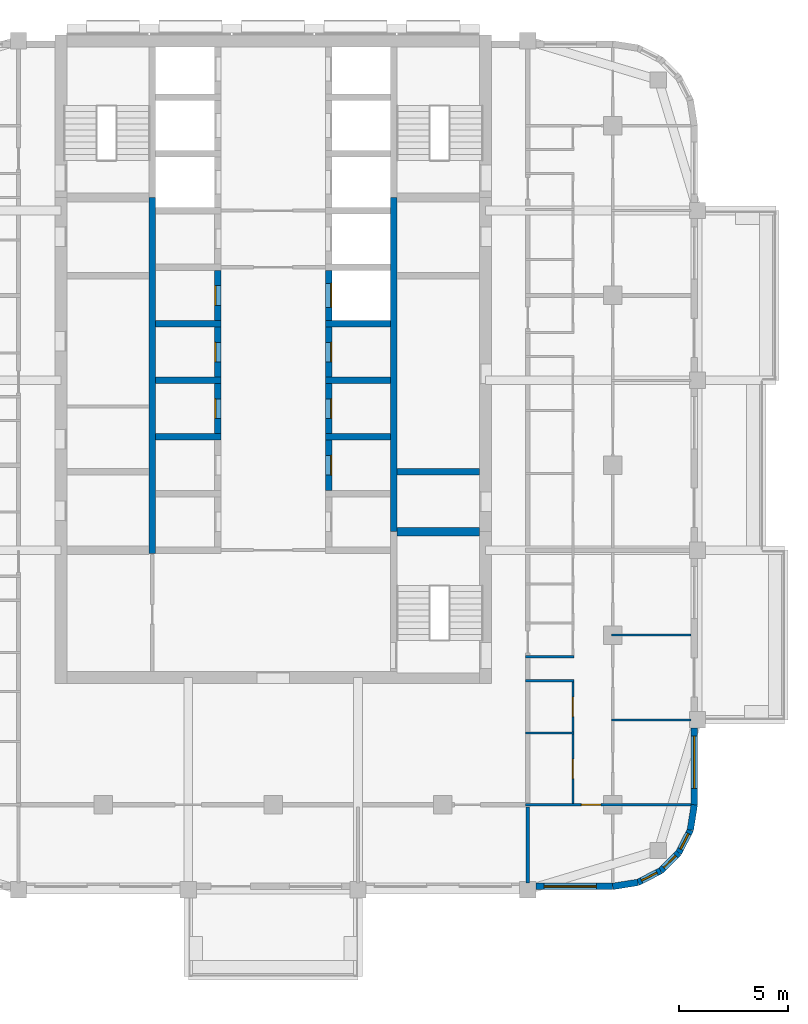
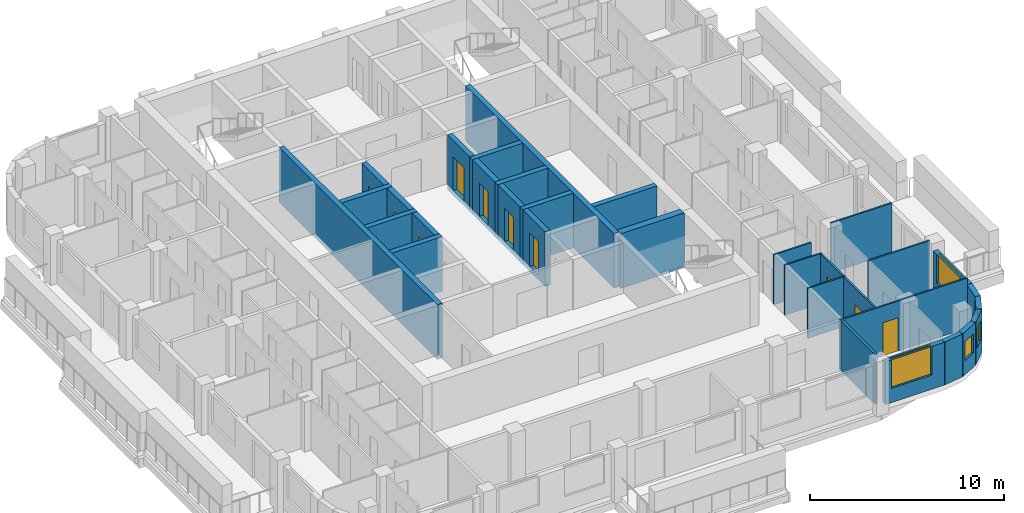
# One storey, part 5 of 13: 32 walls, 10 doors, 5 windows, 15 openings.
"""IFC4 building model written with IfcOpenShell, lengths in metres."""

from ifc_helpers import new_model, si_unit, direction, frame, frame_2d, origin, place, context, subcontext, project, spatial, rectangle, extrude, material, layer, layer_set, type_object, element, fill, save


model = new_model("IFC4")

# Units and contexts
model_context = context("Model", 3, precision=1e-05, world=origin(), true_north=direction((0.0, 1.0)))
body_context = subcontext(model_context, "Body", "Model", "MODEL_VIEW")
ifc_project = project(units=[si_unit("LENGTHUNIT", "METRE"), si_unit("AREAUNIT", "SQUARE_METRE"), si_unit("VOLUMEUNIT", "CUBIC_METRE"), si_unit("PLANEANGLEUNIT", "RADIAN"), si_unit("MASSUNIT", "GRAM", prefix="KILO")], contexts=[model_context])

# Site, building, storey
site_placement = place(None, origin())
site = spatial("IfcSite", under=ifc_project, at=site_placement, CompositionType="ELEMENT")
building_placement = place(site_placement, origin())
building = spatial("IfcBuilding", under=site, at=building_placement, Name="Ludao Terraces", CompositionType="ELEMENT")
storey_placement = place(building_placement, frame((0.0, 0.0, 179.199951171875)))
storey = spatial("IfcBuildingStorey", under=building, at=storey_placement, Name="L48", CompositionType="ELEMENT", Elevation=179.199951171875)

# Wall, opening, window
ifc_material_1 = material(Name="Granite cladding", Category="masonry")
ifc_layer_1 = layer(ifc_material_1, 0.0400390625, Category="stone")
ifc_material_2 = material(Name="Mineral wool")
ifc_layer_2 = layer(ifc_material_2, 0.06005859375)
ifc_material_3 = material(Name="Concrete C40", Category="concrete")
ifc_layer_3 = layer(ifc_material_3, 0.199951171875, Category="concrete")
ifc_layer_set_1 = layer_set([ifc_layer_1, ifc_layer_2, ifc_layer_3], Name="ENV Stone-clad wall 300")
wall_type_1 = type_object("IfcWallType", Name="ENV Stone-clad wall 300", PredefinedType="SOLIDWALL", material=ifc_layer_set_1)
wall_1_placement = place(storey_placement, frame((97.074951171875, 45.64990234375, 0.0), z_axis=(0.0, 0.0, 1.0), x_axis=(1.0, 0.0, 0.0)))
wall_1 = element("IfcWall", 1, at=wall_1_placement, inside=storey, type_object=wall_type_1, Name="EW-L48-S5", PredefinedType="SOLIDWALL", context=body_context, shape_type="SweptSolid", body=[
    extrude(rectangle(XDim=3.525146484375, YDim=0.300048828125, at=frame_2d((1.7626953125, 0.0))), origin(), (0.0, 0.0, 1.0), 2.699951171875),
])
opening_1_placement = place(wall_1_placement, frame((0.375, 0.0, 0.89990234375)))
opening_1 = element("IfcOpeningElement", 2, at=opening_1_placement, cuts=wall_1, Name="Opening W1", PredefinedType="OPENING", context=body_context, shape_type="SweptSolid", body=[
    extrude(rectangle(XDim=2.39990234375, YDim=1.800048828125, at=frame_2d((1.199951171875, 0.89990234375))), frame((0.0, 0.16015625, 0.0), z_axis=(0.0, -1.0, 0.0), x_axis=(1.0, 0.0, 0.0)), (0.0, 0.0, 1.0), 0.320068359375),
])
ifc_material_4 = material(Name="Clear glass in aluminium frame", Category="aluminium")
ifc_layer_4 = layer(ifc_material_4, 0.06005859375)
ifc_layer_set_2 = layer_set([ifc_layer_4], Name="ENV Window W1 2400x1800")
window_type_1 = type_object("IfcWindowType", Name="ENV Window W1 2400x1800", PartitioningType="DOUBLE_PANEL_VERTICAL", PredefinedType="WINDOW", material=ifc_layer_set_2)
window_1_placement = place(opening_1_placement, origin())
window_1 = element("IfcWindow", 3, at=window_1_placement, inside=storey, type_object=window_type_1, Name="W-L48-S5-1", OverallHeight=1.800048828125, OverallWidth=2.39990234375, PartitioningType="DOUBLE_PANEL_VERTICAL", PredefinedType="WINDOW", context=body_context, shape_type="SweptSolid", body=[
    extrude(rectangle(XDim=2.39990234375, YDim=1.800048828125, at=frame_2d((1.199951171875, 0.89990234375))), frame((0.0, 0.030029296875, 0.0), z_axis=(0.0, -1.0, 0.0), x_axis=(1.0, 0.0, 0.0)), (0.0, 0.0, 1.0), 0.06005859375),
])
fill(opening_1, window_1)

wall_2_placement = place(storey_placement, frame((104.35009765625, 49.39990234375, 0.0), z_axis=(0.0, 0.0, 1.0), x_axis=(0.0, 1.0, 0.0)))
wall_2 = element("IfcWall", 4, at=wall_2_placement, inside=storey, type_object=wall_type_1, Name="EW-L48-E1", PredefinedType="SOLIDWALL", context=body_context, shape_type="SweptSolid", body=[
    extrude(rectangle(XDim=3.525146484375, YDim=0.300048828125, at=frame_2d((1.7626953125, 0.0))), origin(), (0.0, 0.0, 1.0), 2.699951171875),
])
opening_2_placement = place(wall_2_placement, frame((0.75, 0.0, 0.89990234375)))
opening_2 = element("IfcOpeningElement", 5, at=opening_2_placement, cuts=wall_2, Name="Opening W1", PredefinedType="OPENING", context=body_context, shape_type="SweptSolid", body=[
    extrude(rectangle(XDim=2.39990234375, YDim=1.800048828125, at=frame_2d((1.199951171875, 0.89990234375))), frame((0.0, 0.16015625, 0.0), z_axis=(0.0, -1.0, 0.0), x_axis=(1.0, 0.0, 0.0)), (0.0, 0.0, 1.0), 0.320068359375),
])
window_2_placement = place(opening_2_placement, origin())
window_2 = element("IfcWindow", 6, at=window_2_placement, inside=storey, type_object=window_type_1, Name="W-L48-E1-1", OverallHeight=1.800048828125, OverallWidth=2.39990234375, PartitioningType="DOUBLE_PANEL_VERTICAL", PredefinedType="WINDOW", context=body_context, shape_type="SweptSolid", body=[
    extrude(rectangle(XDim=2.39990234375, YDim=1.800048828125, at=frame_2d((1.199951171875, 0.89990234375))), frame((0.0, 0.030029296875, 0.0), z_axis=(0.0, -1.0, 0.0), x_axis=(1.0, 0.0, 0.0)), (0.0, 0.0, 1.0), 0.06005859375),
])
fill(opening_2, window_2)

# Wall
wall_3_placement = place(storey_placement, frame((100.60009765625, 45.64990234375, 0.0), z_axis=(0.0, 0.0, 1.0), x_axis=(0.987678452879, 0.156496880861, 0.0)))
element("IfcWall", 7, at=wall_3_placement, inside=storey, type_object=wall_type_1, Name="EW-L48-SE1", PredefinedType="SOLIDWALL", context=body_context, shape_type="SweptSolid", body=[
    extrude(rectangle(XDim=1.173095703125, YDim=0.300048828125, at=frame_2d((0.58642578125, 0.0))), origin(), (0.0, 0.0, 1.0), 2.699951171875),
])

# Wall, opening, window
wall_4_placement = place(storey_placement, frame((101.7587890625, 45.83349609375, 0.0), z_axis=(0.0, 0.0, 1.0), x_axis=(0.890988677504, 0.454025524128, 0.0)))
wall_4 = element("IfcWall", 8, at=wall_4_placement, inside=storey, type_object=wall_type_1, Name="EW-L48-SE2", PredefinedType="SOLIDWALL", context=body_context, shape_type="SweptSolid", body=[
    extrude(rectangle(XDim=1.17333984375, YDim=0.300048828125, at=frame_2d((0.586669921875, 0.0))), origin(), (0.0, 0.0, 1.0), 2.699951171875),
])
opening_3_placement = place(wall_4_placement, frame((0.1865234375, 0.0, 0.89990234375)))
opening_3 = element("IfcOpeningElement", 9, at=opening_3_placement, cuts=wall_4, Name="Opening W3", PredefinedType="OPENING", context=body_context, shape_type="SweptSolid", body=[
    extrude(rectangle(XDim=0.800048828125, YDim=1.199951171875, at=frame_2d((0.39990234375, 0.60009765625))), frame((0.0, 0.16015625, 0.0), z_axis=(0.0, -1.0, 0.0), x_axis=(1.0, 0.0, 0.0)), (0.0, 0.0, 1.0), 0.320068359375),
])
ifc_layer_5 = layer(ifc_material_4, 0.06005859375)
ifc_layer_set_3 = layer_set([ifc_layer_5], Name="ENV Window W3 800x1200")
window_type_2 = type_object("IfcWindowType", Name="ENV Window W3 800x1200", PartitioningType="SINGLE_PANEL", PredefinedType="WINDOW", material=ifc_layer_set_3)
window_3_placement = place(opening_3_placement, origin())
window_3 = element("IfcWindow", 10, at=window_3_placement, inside=storey, type_object=window_type_2, Name="W-L48-SE2", OverallHeight=1.199951171875, OverallWidth=0.800048828125, PartitioningType="SINGLE_PANEL", PredefinedType="WINDOW", context=body_context, shape_type="SweptSolid", body=[
    extrude(rectangle(XDim=0.800048828125, YDim=1.199951171875, at=frame_2d((0.39990234375, 0.60009765625))), frame((0.0, 0.030029296875, 0.0), z_axis=(0.0, -1.0, 0.0), x_axis=(1.0, 0.0, 0.0)), (0.0, 0.0, 1.0), 0.06005859375),
])
fill(opening_3, window_3)

wall_5_placement = place(storey_placement, frame((102.80419921875, 46.3662109375, 0.0), z_axis=(0.0, 0.0, 1.0), x_axis=(0.707106781187, 0.707106781187, 0.0)))
wall_5 = element("IfcWall", 11, at=wall_5_placement, inside=storey, type_object=wall_type_1, Name="EW-L48-SE3", PredefinedType="SOLIDWALL", context=body_context, shape_type="SweptSolid", body=[
    extrude(rectangle(XDim=1.173095703125, YDim=0.300048828125, at=frame_2d((0.58642578125, 0.0))), origin(), (0.0, 0.0, 1.0), 2.699951171875),
])
opening_4_placement = place(wall_5_placement, frame((0.1865234375, 0.0, 0.89990234375)))
opening_4 = element("IfcOpeningElement", 12, at=opening_4_placement, cuts=wall_5, Name="Opening W3", PredefinedType="OPENING", context=body_context, shape_type="SweptSolid", body=[
    extrude(rectangle(XDim=0.800048828125, YDim=1.199951171875, at=frame_2d((0.39990234375, 0.60009765625))), frame((0.0, 0.16015625, 0.0), z_axis=(0.0, -1.0, 0.0), x_axis=(1.0, 0.0, 0.0)), (0.0, 0.0, 1.0), 0.320068359375),
])
window_4_placement = place(opening_4_placement, origin())
window_4 = element("IfcWindow", 13, at=window_4_placement, inside=storey, type_object=window_type_2, Name="W-L48-SE3", OverallHeight=1.199951171875, OverallWidth=0.800048828125, PartitioningType="SINGLE_PANEL", PredefinedType="WINDOW", context=body_context, shape_type="SweptSolid", body=[
    extrude(rectangle(XDim=0.800048828125, YDim=1.199951171875, at=frame_2d((0.39990234375, 0.60009765625))), frame((0.0, 0.030029296875, 0.0), z_axis=(0.0, -1.0, 0.0), x_axis=(1.0, 0.0, 0.0)), (0.0, 0.0, 1.0), 0.06005859375),
])
fill(opening_4, window_4)

wall_6_placement = place(storey_placement, frame((103.6337890625, 47.19580078125, 0.0), z_axis=(0.0, 0.0, 1.0), x_axis=(0.454025524128, 0.890988677504, 0.0)))
wall_6 = element("IfcWall", 14, at=wall_6_placement, inside=storey, type_object=wall_type_1, Name="EW-L48-SE4", PredefinedType="SOLIDWALL", context=body_context, shape_type="SweptSolid", body=[
    extrude(rectangle(XDim=1.17333984375, YDim=0.300048828125, at=frame_2d((0.586669921875, 0.0))), origin(), (0.0, 0.0, 1.0), 2.699951171875),
])
opening_5_placement = place(wall_6_placement, frame((0.1865234375, 0.0, 0.89990234375)))
opening_5 = element("IfcOpeningElement", 15, at=opening_5_placement, cuts=wall_6, Name="Opening W3", PredefinedType="OPENING", context=body_context, shape_type="SweptSolid", body=[
    extrude(rectangle(XDim=0.800048828125, YDim=1.199951171875, at=frame_2d((0.39990234375, 0.60009765625))), frame((0.0, 0.16015625, 0.0), z_axis=(0.0, -1.0, 0.0), x_axis=(1.0, 0.0, 0.0)), (0.0, 0.0, 1.0), 0.320068359375),
])
window_5_placement = place(opening_5_placement, origin())
window_5 = element("IfcWindow", 16, at=window_5_placement, inside=storey, type_object=window_type_2, Name="W-L48-SE4", OverallHeight=1.199951171875, OverallWidth=0.800048828125, PartitioningType="SINGLE_PANEL", PredefinedType="WINDOW", context=body_context, shape_type="SweptSolid", body=[
    extrude(rectangle(XDim=0.800048828125, YDim=1.199951171875, at=frame_2d((0.39990234375, 0.60009765625))), frame((0.0, 0.030029296875, 0.0), z_axis=(0.0, -1.0, 0.0), x_axis=(1.0, 0.0, 0.0)), (0.0, 0.0, 1.0), 0.06005859375),
])
fill(opening_5, window_5)

# Wall
wall_7_placement = place(storey_placement, frame((104.16650390625, 48.2412109375, 0.0), z_axis=(0.0, 0.0, 1.0), x_axis=(0.156496880861, 0.987678452879, 0.0)))
element("IfcWall", 17, at=wall_7_placement, inside=storey, type_object=wall_type_1, Name="EW-L48-SE5", PredefinedType="SOLIDWALL", context=body_context, shape_type="SweptSolid", body=[
    extrude(rectangle(XDim=1.173095703125, YDim=0.300048828125, at=frame_2d((0.58642578125, 0.0))), origin(), (0.0, 0.0, 1.0), 2.699951171875),
])

# Wall, opening, door
ifc_material_5 = material(Name="Gypsum plasterboard", Category="gypsum")
ifc_layer_6 = layer(ifc_material_5, 0.012451171875, Category="gypsum")
ifc_layer_7 = layer(ifc_material_2, 0.06005859375, Name="insulation")
ifc_material_6 = material(Name="Steel Q235", Category="steel")
ifc_layer_8 = layer(ifc_material_6, 0.014892578125, Name="stud")
ifc_layer_9 = layer(ifc_material_5, 0.012451171875, Category="gypsum")
ifc_layer_set_4 = layer_set([ifc_layer_6, ifc_layer_7, ifc_layer_8, ifc_layer_9], Name="INT Partition 100")
wall_type_2 = type_object("IfcWallType", Name="INT Partition 100", PredefinedType="PARTITIONING", material=ifc_layer_set_4)
wall_8_placement = place(storey_placement, frame((96.60009765625, 49.39990234375, 0.0), z_axis=(0.0, 0.0, 1.0), x_axis=(1.0, 0.0, 0.0)))
wall_8 = element("IfcWall", 18, at=wall_8_placement, inside=storey, type_object=wall_type_2, Name="PW-L48-PW002", PredefinedType="PARTITIONING", context=body_context, shape_type="SweptSolid", body=[
    extrude(rectangle(XDim=7.60009765625, YDim=0.10009765625, at=frame_2d((3.800048828125, 0.0))), origin(), (0.0, 0.0, 1.0), 3.150146484375),
])
opening_6_placement = place(wall_8_placement, frame((2.56005859375, 0.0, 0.0)))
opening_6 = element("IfcOpeningElement", 19, at=opening_6_placement, cuts=wall_8, Name="Opening R17-006", PredefinedType="OPENING", context=body_context, shape_type="SweptSolid", body=[
    extrude(rectangle(XDim=0.89990234375, YDim=2.10009765625, at=frame_2d((0.449951171875, 1.050048828125))), frame((0.0, 0.06005859375, 0.0), z_axis=(0.0, -1.0, 0.0), x_axis=(1.0, 0.0, 0.0)), (0.0, 0.0, 1.0), 0.1201171875),
])
ifc_material_7 = material(Name="Timber door leaf", Category="wood")
door_type_1 = type_object("IfcDoorType", Name="INT Room door 900", OperationType="SINGLE_SWING_LEFT", PredefinedType="DOOR", material=ifc_material_7)
door_1_placement = place(opening_6_placement, origin())
door_1 = element("IfcDoor", 20, at=door_1_placement, inside=storey, type_object=door_type_1, Name="DOOR 006", OperationType="SINGLE_SWING_LEFT", OverallHeight=2.10009765625, OverallWidth=0.89990234375, PredefinedType="DOOR", context=body_context, shape_type="SweptSolid", body=[
    extrude(rectangle(XDim=0.89990234375, YDim=2.10009765625, at=frame_2d((0.449951171875, 1.050048828125))), frame((0.0, 0.02490234375, 0.0), z_axis=(0.0, -1.0, 0.0), x_axis=(1.0, 0.0, 0.0)), (0.0, 0.0, 1.0), 0.050048828125),
])
fill(opening_6, door_1)

# Walls
wall_9_placement = place(storey_placement, frame((96.60009765625, 52.699951171875, 0.0), z_axis=(0.0, 0.0, 1.0), x_axis=(1.0, 0.0, 0.0)))
element("IfcWall", 21, at=wall_9_placement, inside=storey, type_object=wall_type_2, Name="PW-L48-PW004", PredefinedType="PARTITIONING", context=body_context, shape_type="SweptSolid", body=[
    extrude(rectangle(XDim=2.219970703125, YDim=0.10009765625, at=frame_2d((1.10986328125, 0.0))), origin(), (0.0, 0.0, 1.0), 3.150146484375),
])
wall_10_placement = place(storey_placement, frame((100.550048828125, 53.300048828125, 0.0), z_axis=(0.0, 0.0, 1.0), x_axis=(1.0, 0.0, 0.0)))
element("IfcWall", 22, at=wall_10_placement, inside=storey, type_object=wall_type_2, Name="PW-L48-PW005", PredefinedType="PARTITIONING", context=body_context, shape_type="SweptSolid", body=[
    extrude(rectangle(XDim=3.650146484375, YDim=0.10009765625, at=frame_2d((1.8251953125, 0.0))), origin(), (0.0, 0.0, 1.0), 3.150146484375),
])
for number, where, z_axis, x_axis, name in (
    (23, (96.60009765625, 55.10009765625, 0.0), (0.0, 0.0, 1.0), (1.0, 0.0, 0.0), "PW-L48-PW007"),
    (24, (96.60009765625, 56.199951171875, 0.0), (0.0, 0.0, 1.0), (1.0, 0.0, 0.0), "PW-L48-PW008"),
):
    element("IfcWall", number, at=place(storey_placement, frame(where, z_axis=z_axis, x_axis=x_axis)), inside=storey, type_object=wall_type_2, Name=name, PredefinedType="PARTITIONING", context=body_context, shape_type="SweptSolid", body=[
        extrude(rectangle(XDim=2.219970703125, YDim=0.10009765625, at=frame_2d((1.10986328125, 0.0))), origin(), (0.0, 0.0, 1.0), 3.150146484375),
    ])
wall_11_placement = place(storey_placement, frame((100.550048828125, 57.199951171875, 0.0), z_axis=(0.0, 0.0, 1.0), x_axis=(1.0, 0.0, 0.0)))
element("IfcWall", 25, at=wall_11_placement, inside=storey, type_object=wall_type_2, Name="PW-L48-PW011", PredefinedType="PARTITIONING", context=body_context, shape_type="SweptSolid", body=[
    extrude(rectangle(XDim=3.650146484375, YDim=0.10009765625, at=frame_2d((1.8251953125, 0.0))), origin(), (0.0, 0.0, 1.0), 3.150146484375),
])

# Wall, openings, doors
wall_12_placement = place(storey_placement, frame((98.77001953125, 49.4501953125, 0.0), z_axis=(0.0, 0.0, 1.0), x_axis=(0.0, 1.0, 0.0)))
wall_12 = element("IfcWall", 26, at=wall_12_placement, inside=storey, type_object=wall_type_2, Name="PW-L48-PW057", PredefinedType="PARTITIONING", context=body_context, shape_type="SweptSolid", body=[
    extrude(rectangle(XDim=5.599853515625, YDim=0.10009765625, at=frame_2d((2.7998046875, 0.0))), origin(), (0.0, 0.0, 1.0), 3.150146484375),
])
opening_7_placement = place(wall_12_placement, frame((1.14990234375, 0.0, 0.0)))
opening_7 = element("IfcOpeningElement", 27, at=opening_7_placement, cuts=wall_12, Name="Opening R17-008", PredefinedType="OPENING", context=body_context, shape_type="SweptSolid", body=[
    extrude(rectangle(XDim=0.89990234375, YDim=2.10009765625, at=frame_2d((0.449951171875, 1.050048828125))), frame((0.0, 0.06005859375, 0.0), z_axis=(0.0, -1.0, 0.0), x_axis=(1.0, 0.0, 0.0)), (0.0, 0.0, 1.0), 0.1201171875),
])
opening_8_placement = place(wall_12_placement, frame((4.0, 0.0, 0.0)))
opening_8 = element("IfcOpeningElement", 28, at=opening_8_placement, cuts=wall_12, Name="Opening R17-012", PredefinedType="OPENING", context=body_context, shape_type="SweptSolid", body=[
    extrude(rectangle(XDim=0.89990234375, YDim=2.10009765625, at=frame_2d((0.449951171875, 1.050048828125))), frame((0.0, 0.06005859375, 0.0), z_axis=(0.0, -1.0, 0.0), x_axis=(1.0, 0.0, 0.0)), (0.0, 0.0, 1.0), 0.1201171875),
])
door_type_2 = type_object("IfcDoorType", Name="INT Bathroom door 900", OperationType="SINGLE_SWING_LEFT", PredefinedType="DOOR", material=ifc_material_7)
door_2_placement = place(opening_8_placement, origin())
door_2 = element("IfcDoor", 29, at=door_2_placement, inside=storey, type_object=door_type_2, Name="DOOR 012", OperationType="SINGLE_SWING_RIGHT", OverallHeight=2.10009765625, OverallWidth=0.89990234375, PredefinedType="DOOR", context=body_context, shape_type="SweptSolid", body=[
    extrude(rectangle(XDim=0.89990234375, YDim=2.10009765625, at=frame_2d((0.449951171875, 1.050048828125))), frame((0.0, 0.02490234375, 0.0), z_axis=(0.0, -1.0, 0.0), x_axis=(1.0, 0.0, 0.0)), (0.0, 0.0, 1.0), 0.050048828125),
])
fill(opening_8, door_2)
door_3_placement = place(opening_7_placement, origin())
door_3 = element("IfcDoor", 30, at=door_3_placement, inside=storey, type_object=door_type_1, Name="DOOR 008", OperationType="SINGLE_SWING_LEFT", OverallHeight=2.10009765625, OverallWidth=0.89990234375, PredefinedType="DOOR", context=body_context, shape_type="SweptSolid", body=[
    extrude(rectangle(XDim=0.89990234375, YDim=2.10009765625, at=frame_2d((0.449951171875, 1.050048828125))), frame((0.0, 0.02490234375, 0.0), z_axis=(0.0, -1.0, 0.0), x_axis=(1.0, 0.0, 0.0)), (0.0, 0.0, 1.0), 0.050048828125),
])
fill(opening_7, door_3)

# Walls
ifc_material_8 = material(Name="Autoclaved aerated concrete block B06 A3.5", Category="concrete")
ifc_layer_10 = layer(ifc_material_8, 0.14990234375)
ifc_layer_set_5 = layer_set([ifc_layer_10], Name="INT Party wall 150")
wall_type_3 = type_object("IfcWallType", Name="INT Party wall 150", PredefinedType="PARTITIONING", material=ifc_layer_set_5)
wall_13_placement = place(storey_placement, frame((96.699951171875, 45.800048828125, 0.0), z_axis=(0.0, 0.0, 1.0), x_axis=(0.0, 1.0, 0.0)))
element("IfcWall", 31, at=wall_13_placement, inside=storey, type_object=wall_type_3, Name="PW-L48-PW055", PredefinedType="PARTITIONING", context=body_context, shape_type="SweptSolid", body=[
    extrude(rectangle(XDim=3.5, YDim=0.14990234375, at=frame_2d((1.75, 0.0))), origin(), (0.0, 0.0, 1.0), 3.150146484375),
])
ifc_material_9 = material(Name="Concrete C55", Category="concrete")
ifc_layer_11 = layer(ifc_material_9, 0.300048828125)
ifc_layer_set_6 = layer_set([ifc_layer_11], Name="Shaft wall 300 C55")
wall_type_4 = type_object("IfcWallType", Name="Shaft wall 300 C55", PredefinedType="SOLIDWALL", material=ifc_layer_set_6)
wall_14_placement = place(storey_placement, frame((79.449951171875, 60.949951171875, -0.300048828125), z_axis=(0.0, 0.0, 1.0), x_axis=(0.0, 1.0, 0.0)))
element("IfcWall", 32, at=wall_14_placement, inside=storey, type_object=wall_type_4, Name="Core wall L48 back-W", PredefinedType="SOLIDWALL", context=body_context, shape_type="SweptSolid", body=[
    extrude(rectangle(XDim=16.35009765625, YDim=0.300048828125, at=frame_2d((8.175048828125, 0.0))), origin(), (0.0, 0.0, 1.0), 3.4501953125),
])
wall_15_placement = place(storey_placement, frame((90.550048828125, 61.949951171875, -0.300048828125), z_axis=(0.0, 0.0, 1.0), x_axis=(0.0, 1.0, 0.0)))
element("IfcWall", 33, at=wall_15_placement, inside=storey, type_object=wall_type_4, Name="Core wall L48 back-E", PredefinedType="SOLIDWALL", context=body_context, shape_type="SweptSolid", body=[
    extrude(rectangle(XDim=15.35009765625, YDim=0.300048828125, at=frame_2d((7.675048828125, 0.0))), origin(), (0.0, 0.0, 1.0), 3.4501953125),
])
wall_16_placement = place(storey_placement, frame((79.60009765625, 66.300048828125, -0.300048828125), z_axis=(0.0, 0.0, 1.0), x_axis=(1.0, 0.0, 0.0)))
element("IfcWall", 34, at=wall_16_placement, inside=storey, type_object=wall_type_4, Name="Core wall L48 div-W3", PredefinedType="SOLIDWALL", context=body_context, shape_type="SweptSolid", body=[
    extrude(rectangle(XDim=3.0, YDim=0.300048828125, at=frame_2d((1.5, 0.0))), origin(), (0.0, 0.0, 1.0), 3.4501953125),
])

# Wall, opening, door
wall_17_placement = place(storey_placement, frame((82.449951171875, 66.449951171875, -0.300048828125), z_axis=(0.0, 0.0, 1.0), x_axis=(0.0, 1.0, 0.0)))
wall_17 = element("IfcWall", 35, at=wall_17_placement, inside=storey, type_object=wall_type_4, Name="Core wall L48 front-W3", PredefinedType="SOLIDWALL", context=body_context, shape_type="SweptSolid", body=[
    extrude(rectangle(XDim=2.300048828125, YDim=0.300048828125, at=frame_2d((1.14990234375, 0.0))), origin(), (0.0, 0.0, 1.0), 3.4501953125),
])
opening_9_placement = place(wall_17_placement, frame((0.699951171875, 0.0, 0.300048828125)))
opening_9 = element("IfcOpeningElement", 36, at=opening_9_placement, cuts=wall_17, Name="Opening R17-043", PredefinedType="OPENING", context=body_context, shape_type="SweptSolid", body=[
    extrude(rectangle(XDim=0.89990234375, YDim=2.10009765625, at=frame_2d((0.449951171875, 1.050048828125))), frame((0.0, 0.16015625, 0.0), z_axis=(0.0, -1.0, 0.0), x_axis=(1.0, 0.0, 0.0)), (0.0, 0.0, 1.0), 0.320068359375),
])
door_4_placement = place(opening_9_placement, origin())
door_4 = element("IfcDoor", 37, at=door_4_placement, inside=storey, type_object=door_type_1, Name="DOOR 043", OperationType="SINGLE_SWING_RIGHT", OverallHeight=2.10009765625, OverallWidth=0.89990234375, PredefinedType="DOOR", context=body_context, shape_type="SweptSolid", body=[
    extrude(rectangle(XDim=0.89990234375, YDim=2.10009765625, at=frame_2d((0.449951171875, 1.050048828125))), frame((0.0, 0.13525390625, 0.0), z_axis=(0.0, -1.0, 0.0), x_axis=(1.0, 0.0, 0.0)), (0.0, 0.0, 1.0), 0.050048828125),
])
fill(opening_9, door_4)

# Wall
wall_18_placement = place(storey_placement, frame((79.60009765625, 68.89990234375, -0.300048828125), z_axis=(0.0, 0.0, 1.0), x_axis=(1.0, 0.0, 0.0)))
element("IfcWall", 38, at=wall_18_placement, inside=storey, type_object=wall_type_4, Name="Core wall L48 div-W4", PredefinedType="SOLIDWALL", context=body_context, shape_type="SweptSolid", body=[
    extrude(rectangle(XDim=3.0, YDim=0.300048828125, at=frame_2d((1.5, 0.0))), origin(), (0.0, 0.0, 1.0), 3.4501953125),
])

# Wall, opening, door
wall_19_placement = place(storey_placement, frame((82.449951171875, 69.050048828125, -0.300048828125), z_axis=(0.0, 0.0, 1.0), x_axis=(0.0, 1.0, 0.0)))
wall_19 = element("IfcWall", 39, at=wall_19_placement, inside=storey, type_object=wall_type_4, Name="Core wall L48 front-W4", PredefinedType="SOLIDWALL", context=body_context, shape_type="SweptSolid", body=[
    extrude(rectangle(XDim=2.300048828125, YDim=0.300048828125, at=frame_2d((1.14990234375, 0.0))), origin(), (0.0, 0.0, 1.0), 3.4501953125),
])
opening_10_placement = place(wall_19_placement, frame((0.699951171875, 0.0, 0.300048828125)))
opening_10 = element("IfcOpeningElement", 40, at=opening_10_placement, cuts=wall_19, Name="Opening R17-049", PredefinedType="OPENING", context=body_context, shape_type="SweptSolid", body=[
    extrude(rectangle(XDim=0.89990234375, YDim=2.10009765625, at=frame_2d((0.449951171875, 1.050048828125))), frame((0.0, 0.16015625, 0.0), z_axis=(0.0, -1.0, 0.0), x_axis=(1.0, 0.0, 0.0)), (0.0, 0.0, 1.0), 0.320068359375),
])
door_5_placement = place(opening_10_placement, origin())
door_5 = element("IfcDoor", 41, at=door_5_placement, inside=storey, type_object=door_type_1, Name="DOOR 049", OperationType="SINGLE_SWING_LEFT", OverallHeight=2.10009765625, OverallWidth=0.89990234375, PredefinedType="DOOR", context=body_context, shape_type="SweptSolid", body=[
    extrude(rectangle(XDim=0.89990234375, YDim=2.10009765625, at=frame_2d((0.449951171875, 1.050048828125))), frame((0.0, 0.13525390625, 0.0), z_axis=(0.0, -1.0, 0.0), x_axis=(1.0, 0.0, 0.0)), (0.0, 0.0, 1.0), 0.050048828125),
])
fill(opening_10, door_5)

# Wall
wall_20_placement = place(storey_placement, frame((79.60009765625, 71.5, -0.300048828125), z_axis=(0.0, 0.0, 1.0), x_axis=(1.0, 0.0, 0.0)))
element("IfcWall", 42, at=wall_20_placement, inside=storey, type_object=wall_type_4, Name="Core wall L48 div-W5", PredefinedType="SOLIDWALL", context=body_context, shape_type="SweptSolid", body=[
    extrude(rectangle(XDim=3.0, YDim=0.300048828125, at=frame_2d((1.5, 0.0))), origin(), (0.0, 0.0, 1.0), 3.4501953125),
])

# Wall, opening, door
wall_21_placement = place(storey_placement, frame((82.449951171875, 71.64990234375, -0.300048828125), z_axis=(0.0, 0.0, 1.0), x_axis=(0.0, 1.0, 0.0)))
wall_21 = element("IfcWall", 43, at=wall_21_placement, inside=storey, type_object=wall_type_4, Name="Core wall L48 front-W5", PredefinedType="SOLIDWALL", context=body_context, shape_type="SweptSolid", body=[
    extrude(rectangle(XDim=2.300048828125, YDim=0.300048828125, at=frame_2d((1.14990234375, 0.0))), origin(), (0.0, 0.0, 1.0), 3.4501953125),
])
opening_11_placement = place(wall_21_placement, frame((0.699951171875, 0.0, 0.300048828125)))
opening_11 = element("IfcOpeningElement", 44, at=opening_11_placement, cuts=wall_21, Name="Opening R17-057", PredefinedType="OPENING", context=body_context, shape_type="SweptSolid", body=[
    extrude(rectangle(XDim=0.89990234375, YDim=2.10009765625, at=frame_2d((0.449951171875, 1.050048828125))), frame((0.0, 0.16015625, 0.0), z_axis=(0.0, -1.0, 0.0), x_axis=(1.0, 0.0, 0.0)), (0.0, 0.0, 1.0), 0.320068359375),
])
door_6_placement = place(opening_11_placement, origin())
door_6 = element("IfcDoor", 45, at=door_6_placement, inside=storey, type_object=door_type_1, Name="DOOR 057", OperationType="SINGLE_SWING_LEFT", OverallHeight=2.10009765625, OverallWidth=0.89990234375, PredefinedType="DOOR", context=body_context, shape_type="SweptSolid", body=[
    extrude(rectangle(XDim=0.89990234375, YDim=2.10009765625, at=frame_2d((0.449951171875, 1.050048828125))), frame((0.0, 0.13525390625, 0.0), z_axis=(0.0, -1.0, 0.0), x_axis=(1.0, 0.0, 0.0)), (0.0, 0.0, 1.0), 0.050048828125),
])
fill(opening_11, door_6)

wall_22_placement = place(storey_placement, frame((87.550048828125, 63.85009765625, -0.300048828125), z_axis=(0.0, 0.0, 1.0), x_axis=(0.0, 1.0, 0.0)))
wall_22 = element("IfcWall", 46, at=wall_22_placement, inside=storey, type_object=wall_type_4, Name="Core wall L48 front-E2", PredefinedType="SOLIDWALL", context=body_context, shape_type="SweptSolid", body=[
    extrude(rectangle(XDim=2.2998046875, YDim=0.300048828125, at=frame_2d((1.14990234375, 0.0))), origin(), (0.0, 0.0, 1.0), 3.4501953125),
])
opening_12_placement = place(wall_22_placement, frame((0.699951171875, 0.0, 0.300048828125)))
opening_12 = element("IfcOpeningElement", 47, at=opening_12_placement, cuts=wall_22, Name="Opening R17-037", PredefinedType="OPENING", context=body_context, shape_type="SweptSolid", body=[
    extrude(rectangle(XDim=0.89990234375, YDim=2.10009765625, at=frame_2d((0.449951171875, 1.050048828125))), frame((0.0, 0.16015625, 0.0), z_axis=(0.0, -1.0, 0.0), x_axis=(1.0, 0.0, 0.0)), (0.0, 0.0, 1.0), 0.320068359375),
])
door_7_placement = place(opening_12_placement, origin())
door_7 = element("IfcDoor", 48, at=door_7_placement, inside=storey, type_object=door_type_1, Name="DOOR 037", OperationType="SINGLE_SWING_RIGHT", OverallHeight=2.10009765625, OverallWidth=0.89990234375, PredefinedType="DOOR", context=body_context, shape_type="SweptSolid", body=[
    extrude(rectangle(XDim=0.89990234375, YDim=2.10009765625, at=frame_2d((0.449951171875, 1.050048828125))), frame((0.0, -0.0849609375, 0.0), z_axis=(0.0, -1.0, 0.0), x_axis=(1.0, 0.0, 0.0)), (0.0, 0.0, 1.0), 0.050048828125),
])
fill(opening_12, door_7)

# Wall
wall_23_placement = place(storey_placement, frame((87.39990234375, 66.300048828125, -0.300048828125), z_axis=(0.0, 0.0, 1.0), x_axis=(1.0, 0.0, 0.0)))
element("IfcWall", 49, at=wall_23_placement, inside=storey, type_object=wall_type_4, Name="Core wall L48 div-E3", PredefinedType="SOLIDWALL", context=body_context, shape_type="SweptSolid", body=[
    extrude(rectangle(XDim=3.0, YDim=0.300048828125, at=frame_2d((1.5, 0.0))), origin(), (0.0, 0.0, 1.0), 3.4501953125),
])

# Wall, opening, door
wall_24_placement = place(storey_placement, frame((87.550048828125, 66.449951171875, -0.300048828125), z_axis=(0.0, 0.0, 1.0), x_axis=(0.0, 1.0, 0.0)))
wall_24 = element("IfcWall", 50, at=wall_24_placement, inside=storey, type_object=wall_type_4, Name="Core wall L48 front-E3", PredefinedType="SOLIDWALL", context=body_context, shape_type="SweptSolid", body=[
    extrude(rectangle(XDim=2.300048828125, YDim=0.300048828125, at=frame_2d((1.14990234375, 0.0))), origin(), (0.0, 0.0, 1.0), 3.4501953125),
])
opening_13_placement = place(wall_24_placement, frame((0.699951171875, 0.0, 0.300048828125)))
opening_13 = element("IfcOpeningElement", 51, at=opening_13_placement, cuts=wall_24, Name="Opening R17-044", PredefinedType="OPENING", context=body_context, shape_type="SweptSolid", body=[
    extrude(rectangle(XDim=0.89990234375, YDim=2.10009765625, at=frame_2d((0.449951171875, 1.050048828125))), frame((0.0, 0.16015625, 0.0), z_axis=(0.0, -1.0, 0.0), x_axis=(1.0, 0.0, 0.0)), (0.0, 0.0, 1.0), 0.320068359375),
])
door_8_placement = place(opening_13_placement, origin())
door_8 = element("IfcDoor", 52, at=door_8_placement, inside=storey, type_object=door_type_1, Name="DOOR 044", OperationType="SINGLE_SWING_LEFT", OverallHeight=2.10009765625, OverallWidth=0.89990234375, PredefinedType="DOOR", context=body_context, shape_type="SweptSolid", body=[
    extrude(rectangle(XDim=0.89990234375, YDim=2.10009765625, at=frame_2d((0.449951171875, 1.050048828125))), frame((0.0, -0.0849609375, 0.0), z_axis=(0.0, -1.0, 0.0), x_axis=(1.0, 0.0, 0.0)), (0.0, 0.0, 1.0), 0.050048828125),
])
fill(opening_13, door_8)

# Wall
wall_25_placement = place(storey_placement, frame((87.39990234375, 68.89990234375, -0.300048828125), z_axis=(0.0, 0.0, 1.0), x_axis=(1.0, 0.0, 0.0)))
element("IfcWall", 53, at=wall_25_placement, inside=storey, type_object=wall_type_4, Name="Core wall L48 div-E4", PredefinedType="SOLIDWALL", context=body_context, shape_type="SweptSolid", body=[
    extrude(rectangle(XDim=3.0, YDim=0.300048828125, at=frame_2d((1.5, 0.0))), origin(), (0.0, 0.0, 1.0), 3.4501953125),
])

# Wall, opening, door
wall_26_placement = place(storey_placement, frame((87.550048828125, 69.050048828125, -0.300048828125), z_axis=(0.0, 0.0, 1.0), x_axis=(0.0, 1.0, 0.0)))
wall_26 = element("IfcWall", 54, at=wall_26_placement, inside=storey, type_object=wall_type_4, Name="Core wall L48 front-E4", PredefinedType="SOLIDWALL", context=body_context, shape_type="SweptSolid", body=[
    extrude(rectangle(XDim=2.300048828125, YDim=0.300048828125, at=frame_2d((1.14990234375, 0.0))), origin(), (0.0, 0.0, 1.0), 3.4501953125),
])
opening_14_placement = place(wall_26_placement, frame((0.699951171875, 0.0, 0.300048828125)))
opening_14 = element("IfcOpeningElement", 55, at=opening_14_placement, cuts=wall_26, Name="Opening R17-050", PredefinedType="OPENING", context=body_context, shape_type="SweptSolid", body=[
    extrude(rectangle(XDim=0.89990234375, YDim=2.10009765625, at=frame_2d((0.449951171875, 1.050048828125))), frame((0.0, 0.16015625, 0.0), z_axis=(0.0, -1.0, 0.0), x_axis=(1.0, 0.0, 0.0)), (0.0, 0.0, 1.0), 0.320068359375),
])
door_9_placement = place(opening_14_placement, origin())
door_9 = element("IfcDoor", 56, at=door_9_placement, inside=storey, type_object=door_type_1, Name="DOOR 050", OperationType="SINGLE_SWING_RIGHT", OverallHeight=2.10009765625, OverallWidth=0.89990234375, PredefinedType="DOOR", context=body_context, shape_type="SweptSolid", body=[
    extrude(rectangle(XDim=0.89990234375, YDim=2.10009765625, at=frame_2d((0.449951171875, 1.050048828125))), frame((0.0, -0.0849609375, 0.0), z_axis=(0.0, -1.0, 0.0), x_axis=(1.0, 0.0, 0.0)), (0.0, 0.0, 1.0), 0.050048828125),
])
fill(opening_14, door_9)

# Wall
wall_27_placement = place(storey_placement, frame((87.39990234375, 71.5, -0.300048828125), z_axis=(0.0, 0.0, 1.0), x_axis=(1.0, 0.0, 0.0)))
element("IfcWall", 57, at=wall_27_placement, inside=storey, type_object=wall_type_4, Name="Core wall L48 div-E5", PredefinedType="SOLIDWALL", context=body_context, shape_type="SweptSolid", body=[
    extrude(rectangle(XDim=3.0, YDim=0.300048828125, at=frame_2d((1.5, 0.0))), origin(), (0.0, 0.0, 1.0), 3.4501953125),
])

# Wall, opening, door
wall_28_placement = place(storey_placement, frame((87.550048828125, 71.64990234375, -0.300048828125), z_axis=(0.0, 0.0, 1.0), x_axis=(0.0, 1.0, 0.0)))
wall_28 = element("IfcWall", 58, at=wall_28_placement, inside=storey, type_object=wall_type_4, Name="Core wall L48 front-E5", PredefinedType="SOLIDWALL", context=body_context, shape_type="SweptSolid", body=[
    extrude(rectangle(XDim=2.300048828125, YDim=0.300048828125, at=frame_2d((1.14990234375, 0.0))), origin(), (0.0, 0.0, 1.0), 3.4501953125),
])
opening_15_placement = place(wall_28_placement, frame((0.60009765625, 0.0, 0.300048828125)))
opening_15 = element("IfcOpeningElement", 59, at=opening_15_placement, cuts=wall_28, Name="Opening LD-LB1", PredefinedType="OPENING", context=body_context, shape_type="SweptSolid", body=[
    extrude(rectangle(XDim=1.10009765625, YDim=2.10009765625, at=frame_2d((0.550048828125, 1.050048828125))), frame((0.0, 0.16015625, 0.0), z_axis=(0.0, -1.0, 0.0), x_axis=(1.0, 0.0, 0.0)), (0.0, 0.0, 1.0), 0.320068359375),
])
ifc_material_10 = material(Name="Stainless steel 304", Category="steel")
door_type_3 = type_object("IfcDoorType", Name="INT Lift landing door 1100", OperationType="SLIDING_TO_LEFT", PredefinedType="DOOR", material=ifc_material_10)
door_10_placement = place(opening_15_placement, origin())
door_10 = element("IfcDoor", 60, at=door_10_placement, inside=storey, type_object=door_type_3, Name="LANDING DOOR LB1 L48", OperationType="SLIDING_TO_LEFT", OverallHeight=2.10009765625, OverallWidth=1.10009765625, PredefinedType="DOOR", context=body_context, shape_type="SweptSolid", body=[
    extrude(rectangle(XDim=1.10009765625, YDim=2.10009765625, at=frame_2d((0.550048828125, 1.050048828125))), frame((0.0, -0.0849609375, 0.0), z_axis=(0.0, -1.0, 0.0), x_axis=(1.0, 0.0, 0.0)), (0.0, 0.0, 1.0), 0.050048828125),
])
fill(opening_15, door_10)

# Walls
wall_29_placement = place(storey_placement, frame((90.699951171875, 64.699951171875, -0.300048828125), z_axis=(0.0, 0.0, 1.0), x_axis=(1.0, 0.0, 0.0)))
element("IfcWall", 61, at=wall_29_placement, inside=storey, type_object=wall_type_4, Name="Core wall L48 riser-a-E", PredefinedType="SOLIDWALL", context=body_context, shape_type="SweptSolid", body=[
    extrude(rectangle(XDim=3.775146484375, YDim=0.300048828125, at=frame_2d((1.8876953125, 0.0))), origin(), (0.0, 0.0, 1.0), 3.4501953125),
])
ifc_layer_12 = layer(ifc_material_9, 0.39990234375)
ifc_layer_set_7 = layer_set([ifc_layer_12], Name="Shaft wall 400 C55")
wall_type_5 = type_object("IfcWallType", Name="Shaft wall 400 C55", PredefinedType="SOLIDWALL", material=ifc_layer_set_7)
wall_30_placement = place(storey_placement, frame((90.699951171875, 61.949951171875, -0.300048828125), z_axis=(0.0, 0.0, 1.0), x_axis=(1.0, 0.0, 0.0)))
element("IfcWall", 62, at=wall_30_placement, inside=storey, type_object=wall_type_5, Name="Core wall L48 hall-E", PredefinedType="SOLIDWALL", context=body_context, shape_type="SweptSolid", body=[
    extrude(rectangle(XDim=3.775146484375, YDim=0.39990234375, at=frame_2d((1.8876953125, 0.0))), origin(), (0.0, 0.0, 1.0), 3.4501953125),
])

save(model, "model.ifc")
